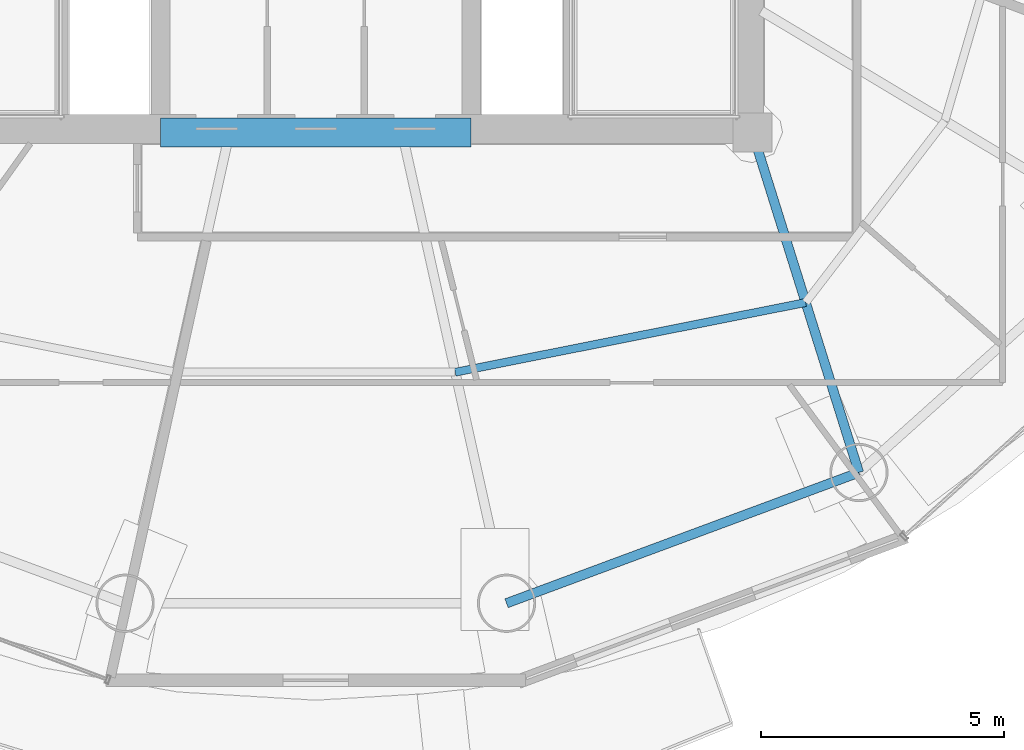
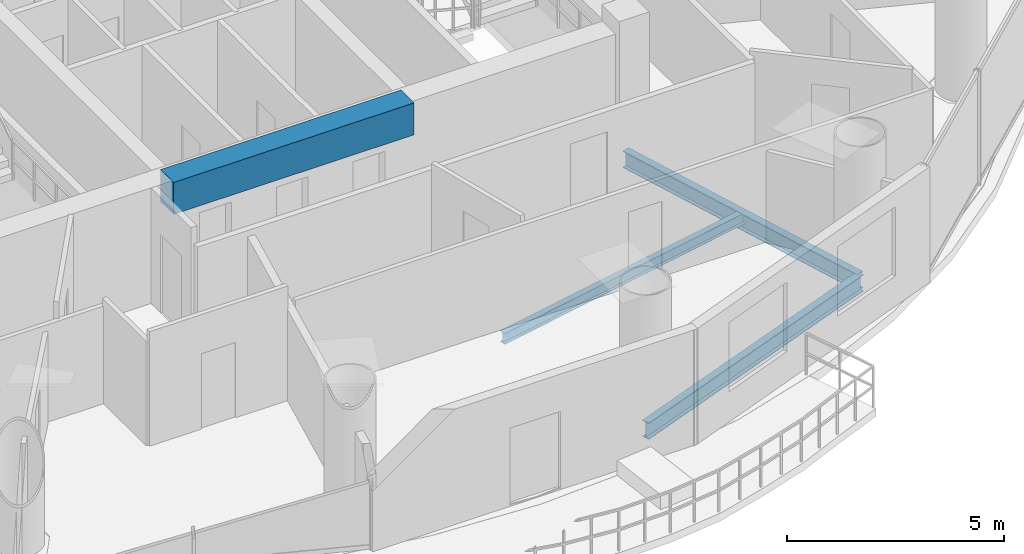
# One storey, part 6 of 26: 4 beams.
"""IFC4 building model written with IfcOpenShell, lengths in metres."""

from ifc_helpers import new_model, si_unit, direction, frame, origin, origin_2d, place, context, subcontext, project, spatial, rectangle, i_section, extrude, material, material_profile, profile_set, type_object, element, save


model = new_model("IFC4")

# Units and contexts
model_context = context("Model", 3, precision=1e-05, world=origin(), true_north=direction((-0.2419218956, 0.970295726276)))
body_context = subcontext(model_context, "Body", "Model", "MODEL_VIEW")
ifc_project = project(units=[si_unit("LENGTHUNIT", "METRE"), si_unit("AREAUNIT", "SQUARE_METRE"), si_unit("VOLUMEUNIT", "CUBIC_METRE"), si_unit("PLANEANGLEUNIT", "RADIAN"), si_unit("MASSUNIT", "GRAM", prefix="KILO")], contexts=[model_context])

# Site, building, storey
site_placement = place(None, origin())
site = spatial("IfcSite", under=ifc_project, at=site_placement, CompositionType="ELEMENT")
building_placement = place(site_placement, origin())
building = spatial("IfcBuilding", under=site, at=building_placement, Name="Cobrevalo Terracotta Tower", CompositionType="ELEMENT")
storey_placement = place(building_placement, frame((0.0, 0.0, 239.300048828125)))
storey = spatial("IfcBuildingStorey", under=building, at=storey_placement, Name="L63", CompositionType="ELEMENT", Elevation=239.300048828125)

# Beams
ifc_material_1 = material(Name="Concrete C60", Category="concrete")
ifc_material_profile_1 = material_profile(ifc_material_1, rectangle(XDim=0.60009765625, YDim=0.89990234375, at=origin_2d()), Name="RC CB 600x900")
ifc_profile_set_1 = profile_set([ifc_material_profile_1], Name="Concrete C60")
beam_type_1 = type_object("IfcBeamType", Name="Structural Beam RC CB 600x900 (Concrete C60)", PredefinedType="BEAM", material=ifc_profile_set_1)
beam_1_placement = place(storey_placement, frame((34.800048828125, 18.800048828125, 2.800048828125), z_axis=(1.0, 0.0, 0.0), x_axis=(0.0, 1.0, 0.0)))
element("IfcBeam", 1, at=beam_1_placement, inside=storey, type_object=beam_type_1, Name="L63 core coupling beam 1", PredefinedType="BEAM", context=body_context, shape_type="SweptSolid", body=[
    extrude(rectangle(XDim=0.60009765625, YDim=0.89990234375, at=origin_2d()), origin(), (0.0, 0.0, 1.0), 6.39990234375),
])
ifc_material_2 = material(Name="Steel S355", Category="steel")
ifc_material_profile_2 = material_profile(ifc_material_2, i_section(OverallWidth=0.194091796875, OverallDepth=0.468994140625, WebThickness=0.011474609375, FlangeThickness=0.0205078125, at=origin_2d()), Name="W 460x106")
ifc_profile_set_2 = profile_set([ifc_material_profile_2], Name="Steel S355")
beam_type_2 = type_object("IfcBeamType", Name="Structural Beam W 460x106 (Steel S355)", PredefinedType="BEAM", material=ifc_profile_set_2)
beam_2_placement = place(storey_placement, frame((49.19482421875, 11.7919921875, -0.49951171875), z_axis=(-0.298871212691, 0.954293454984, 0.0), x_axis=(-0.954293454984, -0.298871212691, 0.0)))
element("IfcBeam", 2, at=beam_2_placement, inside=storey, type_object=beam_type_2, Name="L63 radial floor girder 14", PredefinedType="BEAM", context=body_context, shape_type="SweptSolid", body=[
    extrude(i_section(OverallWidth=0.194091796875, OverallDepth=0.468994140625, WebThickness=0.011474609375, FlangeThickness=0.0205078125, at=origin_2d()), origin(), (0.0, 0.0, 1.0), 7.34375),
])
ifc_material_profile_3 = material_profile(ifc_material_2, i_section(OverallWidth=0.1650390625, OverallDepth=0.31005859375, WebThickness=0.005859375, FlangeThickness=0.009765625, at=origin_2d()), Name="W 310x38.7")
ifc_profile_set_3 = profile_set([ifc_material_profile_3], Name="Steel S355")
beam_type_3 = type_object("IfcBeamType", Name="Structural Joist W 310x38.7 (Steel S355)", PredefinedType="JOIST", material=ifc_profile_set_3)
beam_3_placement = place(storey_placement, frame((40.873779296875, 13.8583984375, -0.420166015625), z_axis=(0.980768907748, 0.195172614871, 0.0), x_axis=(-0.195172614871, 0.980768907748, 0.0)))
element("IfcBeam", 3, at=beam_3_placement, inside=storey, type_object=beam_type_3, Name="L63 circumferential secondary floor joist 13", PredefinedType="JOIST", context=body_context, shape_type="SweptSolid", body=[
    extrude(i_section(OverallWidth=0.1650390625, OverallDepth=0.31005859375, WebThickness=0.005859375, FlangeThickness=0.009765625, at=origin_2d()), origin(), (0.0, 0.0, 1.0), 7.365234375),
])
ifc_material_profile_4 = material_profile(ifc_material_2, i_section(OverallWidth=0.194091796875, OverallDepth=0.468994140625, WebThickness=0.011474609375, FlangeThickness=0.0205078125, at=origin_2d()), Name="W 460x106")
ifc_profile_set_4 = profile_set([ifc_material_profile_4], Name="Steel S355")
beam_type_4 = type_object("IfcBeamType", Name="Structural Spandrel W 460x106 (Steel S355)", PredefinedType="SPANDREL", material=ifc_profile_set_4)
beam_4_placement = place(storey_placement, frame((41.93115234375, 9.096923828125, -0.49951171875), z_axis=(0.937545996665, 0.347861328892, 0.0), x_axis=(-0.347861328892, 0.937545996665, 0.0)))
element("IfcBeam", 4, at=beam_4_placement, inside=storey, type_object=beam_type_4, Name="L63 perimeter ring spandrel 13", PredefinedType="SPANDREL", context=body_context, shape_type="SweptSolid", body=[
    extrude(i_section(OverallWidth=0.194091796875, OverallDepth=0.468994140625, WebThickness=0.011474609375, FlangeThickness=0.0205078125, at=origin_2d()), origin(), (0.0, 0.0, 1.0), 7.74755859375),
])

save(model, "model.ifc")
